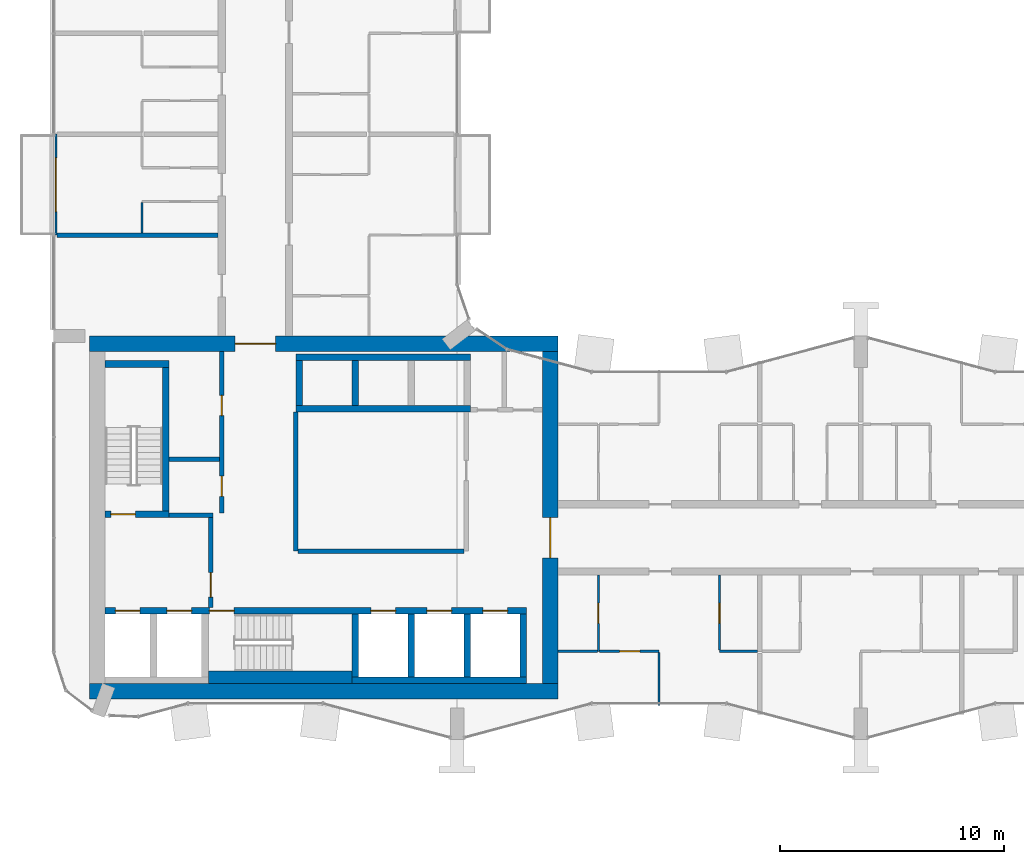
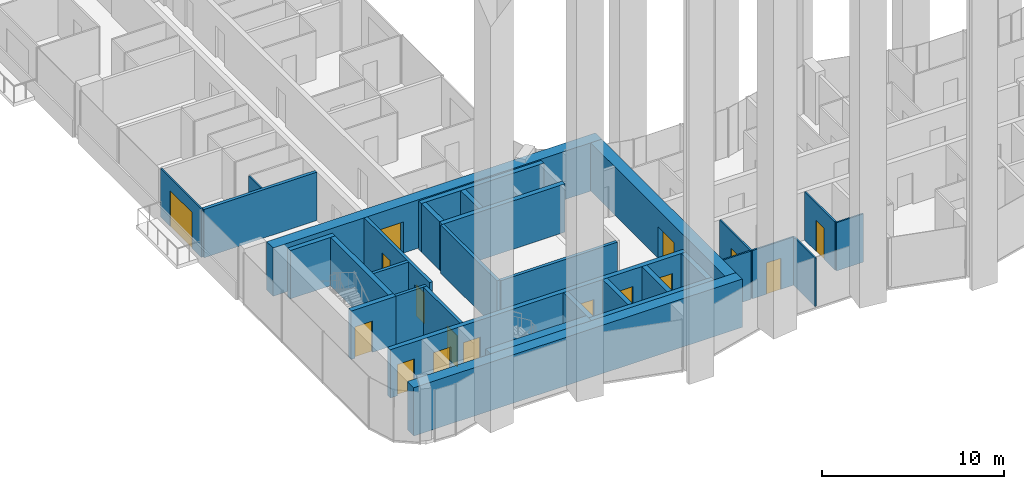
# One storey, part 13 of 27: 32 walls, 16 doors, 16 openings.
"""IFC4 building model written with IfcOpenShell, lengths in metres."""

import ifcopenshell
import ifcopenshell.guid

model = None  # the IFC model being written
_history = None  # IfcOwnerHistory: only IFC2X3 demands one
_inside = {}  # id of a spatial element -> (the spatial element, [elements in it])
_under = {}  # id of a project, library or spatial element -> (it, [spatial elements below it])
_declared = {}  # id of a project -> (the project, [libraries it declares])
_typed = {}  # id of a type object -> (the type object, [elements of that type])
_made_of = {}  # id of a material, layer set ... -> (it, [elements and type objects made of it])


def new_model(schema):
    """Start an empty IFC model of exactly this schema.

    Asked for "IFC4X3", IfcOpenShell would pick the latest addendum, in which some entities
    have other attributes; the version numbers below select the first issue.
    IFC2X3 requires an IfcOwnerHistory on every rooted entity: one is made here for all.
    """
    global model, _history
    if schema == "IFC4X3":
        model = ifcopenshell.file(schema_version=(4, 3, 0, 0))
    else:
        model = ifcopenshell.file(schema=schema)
    _inside.clear()
    _under.clear()
    _declared.clear()
    _typed.clear()
    _made_of.clear()
    _history = None
    if model.schema == "IFC2X3":
        org = make("IfcOrganization", Name="unknown")
        user = make(
            "IfcPersonAndOrganization",
            ThePerson=make("IfcPerson", FamilyName="unknown"),
            TheOrganization=org,
        )
        app = make(
            "IfcApplication",
            ApplicationDeveloper=org,
            Version="unknown",
            ApplicationFullName="unknown",
            ApplicationIdentifier="unknown",
        )
        _history = make(
            "IfcOwnerHistory",
            OwningUser=user,
            OwningApplication=app,
            ChangeAction="ADDED",
            CreationDate=0,
        )
    return model


def make(cls, **values):
    """One entity of the class cls with the attributes given. An attribute that is None is left unset."""
    return model.create_entity(
        cls, **{name: value for name, value in values.items() if value is not None}
    )


def rooted(cls, **values):
    """An entity with a GlobalId (a new one), such as an element, a storey or a relation."""
    return make(cls, GlobalId=ifcopenshell.guid.new(), OwnerHistory=_history, **values)


def si_unit(unit_type, name, prefix=None):
    """IfcSIUnit, for example si_unit("LENGTHUNIT", "METRE", prefix="MILLI")."""
    return make("IfcSIUnit", UnitType=unit_type, Prefix=prefix, Name=name)


def assignment(units):
    """IfcUnitAssignment: the units of a project."""
    return None if units is None else make("IfcUnitAssignment", Units=units)


def point(xyz):
    """IfcCartesianPoint."""
    return None if xyz is None else make("IfcCartesianPoint", Coordinates=xyz)


def direction(xyz):
    """IfcDirection."""
    return None if xyz is None else make("IfcDirection", DirectionRatios=xyz)


def frame(location, z_axis=None, x_axis=None):
    """IfcAxis2Placement3D, a coordinate frame: its origin and axes. An axis left out is left unset."""
    return make(
        "IfcAxis2Placement3D",
        Location=point(location),
        Axis=direction(z_axis),
        RefDirection=direction(x_axis),
    )


def frame_2d(location, x_axis=None):
    """IfcAxis2Placement2D, a coordinate frame in the plane: its origin and x axis."""
    return make(
        "IfcAxis2Placement2D", Location=point(location), RefDirection=direction(x_axis)
    )


def origin():
    """The frame at (0, 0, 0) with its axes left unset."""
    return frame((0.0, 0.0, 0.0))


def place(relative_to, where):
    """IfcLocalPlacement: puts the frame where relative to a parent placement (None: the world)."""
    return make(
        "IfcLocalPlacement", PlacementRelTo=relative_to, RelativePlacement=where
    )


def context(
    kind, dimensions, precision=None, world=None, true_north=None, identifier=None
):
    """IfcGeometricRepresentationContext, for example the 3D "Model" context."""
    return make(
        "IfcGeometricRepresentationContext",
        ContextIdentifier=identifier,
        ContextType=kind,
        CoordinateSpaceDimension=dimensions,
        Precision=precision,
        WorldCoordinateSystem=world,
        TrueNorth=true_north,
    )


def subcontext(parent, identifier, kind, view, scale=None):
    """IfcGeometricRepresentationSubContext, for example "Body" below "Model"."""
    return make(
        "IfcGeometricRepresentationSubContext",
        ContextIdentifier=identifier,
        ContextType=kind,
        ParentContext=parent,
        TargetScale=scale,
        TargetView=view,
    )


def project(units=None, contexts=None):
    """IfcProject with its units and contexts."""
    return rooted(
        "IfcProject",
        Name="project",
        RepresentationContexts=contexts,
        UnitsInContext=assignment(units),
    )


def spatial(cls, under=None, at=None, **own):
    """A site, building, storey or space (cls), placed at a placement, below another one or the project."""
    s = rooted(cls, ObjectPlacement=at, **own)
    if under is not None:
        _under.setdefault(under.id(), (under, []))[1].append(s)
    return s


def profile(cls, at=None, kind="AREA", **sizes):
    """A parametric profile (cls). Its sizes go by their IFC names, for example OverallWidth=200.0."""
    return make(cls, ProfileType=kind, Position=at, **sizes)


def rectangle(**sizes):
    """IfcRectangleProfileDef."""
    return profile("IfcRectangleProfileDef", **sizes)


def extrude(swept, where, along, depth):
    """IfcExtrudedAreaSolid: the profile swept, set in the frame where, extruded along a direction by depth."""
    return make(
        "IfcExtrudedAreaSolid",
        SweptArea=swept,
        Position=where,
        ExtrudedDirection=direction(along),
        Depth=depth,
    )


def shape(context_of_items, identifier, shape_type, items):
    """IfcShapeRepresentation: the items that make up one representation, for example the "Body"."""
    return make(
        "IfcShapeRepresentation",
        ContextOfItems=context_of_items,
        RepresentationIdentifier=identifier,
        RepresentationType=shape_type,
        Items=items,
    )


def material(Name=None, Category=None):
    """IfcMaterial."""
    return make("IfcMaterial", Name=Name, Category=Category)


def layer(
    of_material, thickness, ventilated=None, Name=None, Category=None, Priority=None
):
    """IfcMaterialLayer: one layer of a wall or slab, of a material (None: an air gap)."""
    return make(
        "IfcMaterialLayer",
        Material=of_material,
        LayerThickness=thickness,
        IsVentilated=ventilated,
        Name=Name,
        Category=Category,
        Priority=Priority,
    )


def layer_set(layers, Name=None):
    """IfcMaterialLayerSet."""
    return make("IfcMaterialLayerSet", MaterialLayers=layers, LayerSetName=Name)


def made_of(thing, what):
    """Note that an element or type object is made of a material, layer set ...; save() writes the relation."""
    if what is not None:
        _made_of.setdefault(what.id(), (what, []))[1].append(thing)
    return thing


def type_object(cls, material=None, **own):
    """A type object (cls), such as IfcWallType, which elements share."""
    return made_of(rooted(cls, **own), material)


def element(
    cls,
    number,
    at=None,
    inside=None,
    cuts=None,
    type_object=None,
    material=None,
    context=None,
    identifier="Body",
    shape_type=None,
    held_by="IfcProductDefinitionShape",
    body=None,
    shapes=None,
    **own,
):
    """One element of the class cls, such as IfcWall. Its Tag is "e" and its number.

    at: its placement. inside: the storey or other place that contains it. cuts: it is an
    opening in that element (IfcRelVoidsElement). A single representation is given by context,
    identifier, shape_type and body (its items); several are given by shapes. held_by: the class
    of the entity that holds the representations. save() writes the other relations.
    """
    e = rooted(cls, Tag="e%d" % number, ObjectPlacement=at, **own)
    if body is not None:
        shapes = [shape(context, identifier, shape_type, body)]
    if shapes is not None:
        e.Representation = make(held_by, Representations=shapes)
    if inside is not None:
        _inside.setdefault(inside.id(), (inside, []))[1].append(e)
    if cuts is not None:
        rooted(
            "IfcRelVoidsElement", RelatingBuildingElement=cuts, RelatedOpeningElement=e
        )
    if type_object is not None:
        _typed.setdefault(type_object.id(), (type_object, []))[1].append(e)
    return made_of(e, material)


def fill(opening, filler):
    """IfcRelFillsElement: the door or window that sits in an opening."""
    return rooted(
        "IfcRelFillsElement",
        RelatingOpeningElement=opening,
        RelatedBuildingElement=filler,
    )


def aggregate(whole, parts):
    """IfcRelAggregates: a whole, such as a stair, and the parts it consists of."""
    return rooted("IfcRelAggregates", RelatingObject=whole, RelatedObjects=parts)


def save(model, path):
    """Write the relations noted so far, then the file.

    IfcRelAggregates (storeys below a building ...), IfcRelContainedInSpatialStructure (elements
    in a storey), IfcRelDefinesByType, IfcRelAssociatesMaterial and IfcRelDeclares: one each for
    every whole, place, type object, material and project.
    """
    for whole, parts in _under.values():
        aggregate(whole, parts)
    for where, things in _inside.values():
        rooted(
            "IfcRelContainedInSpatialStructure",
            RelatedElements=things,
            RelatingStructure=where,
        )
    for kind, things in _typed.values():
        rooted("IfcRelDefinesByType", RelatedObjects=things, RelatingType=kind)
    for what, things in _made_of.values():
        rooted("IfcRelAssociatesMaterial", RelatedObjects=things, RelatingMaterial=what)
    for by, libraries in _declared.values():
        rooted("IfcRelDeclares", RelatingContext=by, RelatedDefinitions=libraries)
    model.write(path)


model = new_model("IFC4")

# Units and contexts
model_context = context("Model", 3, precision=1e-05, world=origin(), true_north=direction((0.0, 1.0)))
body_context = subcontext(model_context, "Body", "Model", "MODEL_VIEW")
ifc_project = project(units=[si_unit("LENGTHUNIT", "METRE"), si_unit("AREAUNIT", "SQUARE_METRE"), si_unit("VOLUMEUNIT", "CUBIC_METRE"), si_unit("PLANEANGLEUNIT", "RADIAN"), si_unit("MASSUNIT", "GRAM", prefix="KILO")], contexts=[model_context])

# Site, building, storey
site_placement = place(None, origin())
site = spatial("IfcSite", under=ifc_project, at=site_placement, CompositionType="ELEMENT")
building_placement = place(site_placement, origin())
building = spatial("IfcBuilding", under=site, at=building_placement, Name="Plateau Cross Towers", CompositionType="ELEMENT")
storey_placement = place(building_placement, frame((0.0, 0.0, 78.300048828125)))
storey = spatial("IfcBuildingStorey", under=building, at=storey_placement, Name="L19", CompositionType="ELEMENT", Elevation=78.300048828125)

# Wall, opening, door
ifc_material_1 = material(Name="Aluminium framed glazing", Category="aluminium")
ifc_layer_1 = layer(ifc_material_1, 0.10009765625)
ifc_layer_set_1 = layer_set([ifc_layer_1], Name="Aluminium framed glazing")
wall_type_1 = type_object("IfcWallType", Name="Balcony screen wall 100", PredefinedType="STANDARD", material=ifc_layer_set_1)
wall_1_placement = place(storey_placement, frame((0.10009765625, 22.5, 0.0), z_axis=(0.0, 0.0, 1.0), x_axis=(0.0, 1.0, 0.0)))
wall_1 = element("IfcWall", 1, at=wall_1_placement, inside=storey, type_object=wall_type_1, Name="Balcony screen wall A-BAL-L19-01", PredefinedType="STANDARD", context=body_context, shape_type="SweptSolid", body=[
    extrude(rectangle(XDim=4.5, YDim=0.10009765625, at=frame_2d((2.25, 0.0))), origin(), (0.0, 0.0, 1.0), 3.25),
])
opening_1_placement = place(wall_1_placement, frame((1.050048828125, 0.0, 0.0)))
opening_1 = element("IfcOpeningElement", 2, at=opening_1_placement, cuts=wall_1, Name="Opening D-B24", PredefinedType="OPENING", context=body_context, shape_type="SweptSolid", body=[
    extrude(rectangle(XDim=2.39990234375, YDim=2.39990234375, at=frame_2d((1.199951171875, 1.199951171875))), frame((0.0, 0.06005859375, 0.0), z_axis=(0.0, -1.0, 0.0), x_axis=(1.0, 0.0, 0.0)), (0.0, 0.0, 1.0), 0.1201171875),
])
ifc_material_2 = material(Name="Aluminium frame, double glazing", Category="aluminium")
door_type_1 = type_object("IfcDoorType", Name="Balcony sliding door 2400", OperationType="NOTDEFINED", PredefinedType="DOOR", material=ifc_material_2)
door_1_placement = place(opening_1_placement, origin())
door_1 = element("IfcDoor", 3, at=door_1_placement, inside=storey, type_object=door_type_1, Name="Balcony door A-BAL-L19-01", OperationType="SINGLE_SWING_LEFT", OverallHeight=2.39990234375, OverallWidth=2.39990234375, PredefinedType="DOOR", context=body_context, shape_type="SweptSolid", body=[
    extrude(rectangle(XDim=2.39990234375, YDim=2.39990234375, at=frame_2d((1.199951171875, 1.199951171875))), frame((0.0, 0.02490234375, 0.0), z_axis=(0.0, -1.0, 0.0), x_axis=(1.0, 0.0, 0.0)), (0.0, 0.0, 1.0), 0.050048828125),
])
fill(opening_1, door_1)

ifc_material_3 = material(Name="Concrete block, plastered both sides", Category="concrete")
ifc_layer_2 = layer(ifc_material_3, 0.199951171875)
ifc_layer_set_2 = layer_set([ifc_layer_2], Name="Concrete block, plastered both sides")
wall_type_2 = type_object("IfcWallType", Name="Core partition 200", PredefinedType="PARTITIONING", material=ifc_layer_set_2)
wall_2_placement = place(storey_placement, frame((7.0, 5.89990234375, 0.0), z_axis=(0.0, 0.0, 1.0), x_axis=(0.0, 1.0, 0.0)))
wall_2 = element("IfcWall", 4, at=wall_2_placement, inside=storey, type_object=wall_type_2, Name="Core partition", PredefinedType="PARTITIONING", context=body_context, shape_type="SweptSolid", body=[
    extrude(rectangle(XDim=4.0, YDim=0.199951171875, at=frame_2d((2.0, 0.0))), origin(), (0.0, 0.0, 1.0), 3.25),
])
opening_2_placement = place(wall_2_placement, frame((0.449951171875, 0.0, 0.0)))
opening_2 = element("IfcOpeningElement", 5, at=opening_2_placement, cuts=wall_2, Name="Opening FFD", PredefinedType="OPENING", context=body_context, shape_type="SweptSolid", body=[
    extrude(rectangle(XDim=1.10009765625, YDim=2.10009765625, at=frame_2d((0.550048828125, 1.050048828125))), frame((0.0, 0.10986328125, 0.0), z_axis=(0.0, -1.0, 0.0), x_axis=(1.0, 0.0, 0.0)), (0.0, 0.0, 1.0), 0.219970703125),
])
ifc_material_4 = material(Name="Steel, fire-resisting leaf", Category="steel")
door_type_2 = type_object("IfcDoorType", Name="Firefighting lobby door 1100", OperationType="NOTDEFINED", PredefinedType="DOOR", material=ifc_material_4)
door_2_placement = place(opening_2_placement, origin())
door_2 = element("IfcDoor", 6, at=door_2_placement, inside=storey, type_object=door_type_2, Name="Firefighting lobby door FFD", OperationType="SINGLE_SWING_LEFT", OverallHeight=2.10009765625, OverallWidth=1.10009765625, PredefinedType="DOOR", context=body_context, shape_type="SweptSolid", body=[
    extrude(rectangle(XDim=1.10009765625, YDim=2.10009765625, at=frame_2d((0.550048828125, 1.050048828125))), frame((0.0, 0.02490234375, 0.0), z_axis=(0.0, -1.0, 0.0), x_axis=(1.0, 0.0, 0.0)), (0.0, 0.0, 1.0), 0.050048828125),
])
fill(opening_2, door_2)

# Walls
wall_3_placement = place(storey_placement, frame((5.14990234375, 10.0, 0.0), z_axis=(0.0, 0.0, 1.0), x_axis=(1.0, 0.0, 0.0)))
element("IfcWall", 7, at=wall_3_placement, inside=storey, type_object=wall_type_2, Name="Core partition", PredefinedType="PARTITIONING", context=body_context, shape_type="SweptSolid", body=[
    extrude(rectangle(XDim=1.9501953125, YDim=0.199951171875, at=frame_2d((0.97509765625, 0.0))), origin(), (0.0, 0.0, 1.0), 3.25),
])
wall_4_placement = place(storey_placement, frame((10.800048828125, 8.39990234375, 0.0), z_axis=(0.0, 0.0, 1.0), x_axis=(0.0, 1.0, 0.0)))
element("IfcWall", 8, at=wall_4_placement, inside=storey, type_object=wall_type_2, Name="Core partition", PredefinedType="PARTITIONING", context=body_context, shape_type="SweptSolid", body=[
    extrude(rectangle(XDim=6.2001953125, YDim=0.199951171875, at=frame_2d((3.10009765625, 0.0))), origin(), (0.0, 0.0, 1.0), 3.25),
])
wall_5_placement = place(storey_placement, frame((10.89990234375, 8.39990234375, 0.0), z_axis=(0.0, 0.0, 1.0), x_axis=(1.0, 0.0, 0.0)))
element("IfcWall", 9, at=wall_5_placement, inside=storey, type_object=wall_type_2, Name="Core partition", PredefinedType="PARTITIONING", context=body_context, shape_type="SweptSolid", body=[
    extrude(rectangle(XDim=7.400146484375, YDim=0.199951171875, at=frame_2d((3.7001953125, 0.0))), origin(), (0.0, 0.0, 1.0), 3.25),
])

# Wall, openings, doors
wall_6_placement = place(storey_placement, frame((7.5, 10.10009765625, 0.0), z_axis=(0.0, 0.0, 1.0), x_axis=(0.0, 1.0, 0.0)))
wall_6 = element("IfcWall", 10, at=wall_6_placement, inside=storey, type_object=wall_type_2, Name="Core partition", PredefinedType="PARTITIONING", context=body_context, shape_type="SweptSolid", body=[
    extrude(rectangle(XDim=7.199951171875, YDim=0.199951171875, at=frame_2d((3.60009765625, 0.0))), origin(), (0.0, 0.0, 1.0), 3.25),
])
opening_3_placement = place(wall_6_placement, frame((0.75, 0.0, 0.0)))
opening_3 = element("IfcOpeningElement", 11, at=opening_3_placement, cuts=wall_6, Name="Opening RD1", PredefinedType="OPENING", context=body_context, shape_type="SweptSolid", body=[
    extrude(rectangle(XDim=0.89990234375, YDim=2.10009765625, at=frame_2d((0.449951171875, 1.050048828125))), frame((0.0, 0.10986328125, 0.0), z_axis=(0.0, -1.0, 0.0), x_axis=(1.0, 0.0, 0.0)), (0.0, 0.0, 1.0), 0.219970703125),
])
opening_4_placement = place(wall_6_placement, frame((4.35009765625, 0.0, 0.0)))
opening_4 = element("IfcOpeningElement", 12, at=opening_4_placement, cuts=wall_6, Name="Opening RD1", PredefinedType="OPENING", context=body_context, shape_type="SweptSolid", body=[
    extrude(rectangle(XDim=0.89990234375, YDim=2.10009765625, at=frame_2d((0.449951171875, 1.050048828125))), frame((0.0, 0.10986328125, 0.0), z_axis=(0.0, -1.0, 0.0), x_axis=(1.0, 0.0, 0.0)), (0.0, 0.0, 1.0), 0.219970703125),
])
ifc_material_5 = material(Name="Timber, fire-resisting leaf", Category="wood")
door_type_3 = type_object("IfcDoorType", Name="Core service door 900", OperationType="NOTDEFINED", PredefinedType="DOOR", material=ifc_material_5)
door_3_placement = place(opening_3_placement, origin())
door_3 = element("IfcDoor", 13, at=door_3_placement, inside=storey, type_object=door_type_3, Name="Core service door RD1", OperationType="SINGLE_SWING_RIGHT", OverallHeight=2.10009765625, OverallWidth=0.89990234375, PredefinedType="DOOR", context=body_context, shape_type="SweptSolid", body=[
    extrude(rectangle(XDim=0.89990234375, YDim=2.10009765625, at=frame_2d((0.449951171875, 1.050048828125))), frame((0.0, 0.02490234375, 0.0), z_axis=(0.0, -1.0, 0.0), x_axis=(1.0, 0.0, 0.0)), (0.0, 0.0, 1.0), 0.050048828125),
])
fill(opening_3, door_3)
door_4_placement = place(opening_4_placement, origin())
door_4 = element("IfcDoor", 14, at=door_4_placement, inside=storey, type_object=door_type_3, Name="Core service door RD1", OperationType="SINGLE_SWING_RIGHT", OverallHeight=2.10009765625, OverallWidth=0.89990234375, PredefinedType="DOOR", context=body_context, shape_type="SweptSolid", body=[
    extrude(rectangle(XDim=0.89990234375, YDim=2.10009765625, at=frame_2d((0.449951171875, 1.050048828125))), frame((0.0, 0.02490234375, 0.0), z_axis=(0.0, -1.0, 0.0), x_axis=(1.0, 0.0, 0.0)), (0.0, 0.0, 1.0), 0.050048828125),
])
fill(opening_4, door_4)

# Walls
wall_7_placement = place(storey_placement, frame((5.14990234375, 12.5, 0.0), z_axis=(0.0, 0.0, 1.0), x_axis=(1.0, 0.0, 0.0)))
element("IfcWall", 15, at=wall_7_placement, inside=storey, type_object=wall_type_2, Name="Core partition", PredefinedType="PARTITIONING", context=body_context, shape_type="SweptSolid", body=[
    extrude(rectangle(XDim=2.25, YDim=0.199951171875, at=frame_2d((1.125, 0.0))), origin(), (0.0, 0.0, 1.0), 3.25),
])
ifc_material_6 = material(Name="Concrete C60/75", Category="concrete")
ifc_layer_3 = layer(ifc_material_6, 0.300048828125)
ifc_layer_set_3 = layer_set([ifc_layer_3], Name="Concrete C60/75")
wall_type_3 = type_object("IfcWallType", Name="Core shaft wall 300", PredefinedType="SHEAR", material=ifc_layer_set_3)
wall_8_placement = place(storey_placement, frame((13.300048828125, 2.64990234375, 0.0), z_axis=(0.0, 0.0, 1.0), x_axis=(1.0, 0.0, 0.0)))
element("IfcWall", 16, at=wall_8_placement, inside=storey, type_object=wall_type_3, Name="A-sb-back3@L19", PredefinedType="SHEAR", context=body_context, shape_type="SweptSolid", body=[
    extrude(rectangle(XDim=7.800048828125, YDim=0.300048828125, at=frame_2d((3.89990234375, 0.0))), origin(), (0.0, 0.0, 1.0), 3.25),
])
for number, where, z_axis, x_axis, name in (
    (17, (13.449951171875, 2.800048828125, 0.0), (0.0, 0.0, 1.0), (0.0, 1.0, 0.0), "A-sb-v3@L19"),
    (18, (15.949951171875, 2.800048828125, 0.0), (0.0, 0.0, 1.0), (0.0, 1.0, 0.0), "A-sb-v4@L19"),
    (19, (18.449951171875, 2.800048828125, 0.0), (0.0, 0.0, 1.0), (0.0, 1.0, 0.0), "A-sb-v5@L19"),
    (20, (20.949951171875, 2.800048828125, 0.0), (0.0, 0.0, 1.0), (0.0, 1.0, 0.0), "A-sb-v6@L19"),
):
    element("IfcWall", number, at=place(storey_placement, frame(where, z_axis=z_axis, x_axis=x_axis)), inside=storey, type_object=wall_type_3, Name=name, PredefinedType="SHEAR", context=body_context, shape_type="SweptSolid", body=[
        extrude(rectangle(XDim=2.800048828125, YDim=0.300048828125, at=frame_2d((1.39990234375, 0.0))), origin(), (0.0, 0.0, 1.0), 3.25),
    ])

# Wall, openings, doors
wall_9_placement = place(storey_placement, frame((2.300048828125, 5.75, 0.0), z_axis=(0.0, 0.0, 1.0), x_axis=(1.0, 0.0, 0.0)))
wall_9 = element("IfcWall", 21, at=wall_9_placement, inside=storey, type_object=wall_type_3, Name="A-sb-front@L19", PredefinedType="SHEAR", context=body_context, shape_type="SweptSolid", body=[
    extrude(rectangle(XDim=18.800048828125, YDim=0.300048828125, at=frame_2d((9.39990234375, 0.0))), origin(), (0.0, 0.0, 1.0), 3.25),
])
opening_5_placement = place(wall_9_placement, frame((4.64990234375, 0.0, 0.0)))
opening_5 = element("IfcOpeningElement", 22, at=opening_5_placement, cuts=wall_9, Name="Opening SD", PredefinedType="OPENING", context=body_context, shape_type="SweptSolid", body=[
    extrude(rectangle(XDim=1.10009765625, YDim=2.10009765625, at=frame_2d((0.550048828125, 1.050048828125))), frame((0.0, 0.159912109375, 0.0), z_axis=(0.0, -1.0, 0.0), x_axis=(1.0, 0.0, 0.0)), (0.0, 0.0, 1.0), 0.320068359375),
])
opening_6_placement = place(wall_9_placement, frame((0.449951171875, 0.0, 0.0)))
opening_6 = element("IfcOpeningElement", 23, at=opening_6_placement, cuts=wall_9, Name="Opening LD", PredefinedType="OPENING", context=body_context, shape_type="SweptSolid", body=[
    extrude(rectangle(XDim=1.10009765625, YDim=2.10009765625, at=frame_2d((0.550048828125, 1.050048828125))), frame((0.0, 0.159912109375, 0.0), z_axis=(0.0, -1.0, 0.0), x_axis=(1.0, 0.0, 0.0)), (0.0, 0.0, 1.0), 0.320068359375),
])
opening_7_placement = place(wall_9_placement, frame((2.75, 0.0, 0.0)))
opening_7 = element("IfcOpeningElement", 24, at=opening_7_placement, cuts=wall_9, Name="Opening LD", PredefinedType="OPENING", context=body_context, shape_type="SweptSolid", body=[
    extrude(rectangle(XDim=1.10009765625, YDim=2.10009765625, at=frame_2d((0.550048828125, 1.050048828125))), frame((0.0, 0.159912109375, 0.0), z_axis=(0.0, -1.0, 0.0), x_axis=(1.0, 0.0, 0.0)), (0.0, 0.0, 1.0), 0.320068359375),
])
opening_8_placement = place(wall_9_placement, frame((11.85009765625, 0.0, 0.0)))
opening_8 = element("IfcOpeningElement", 25, at=opening_8_placement, cuts=wall_9, Name="Opening LD", PredefinedType="OPENING", context=body_context, shape_type="SweptSolid", body=[
    extrude(rectangle(XDim=1.10009765625, YDim=2.10009765625, at=frame_2d((0.550048828125, 1.050048828125))), frame((0.0, 0.159912109375, 0.0), z_axis=(0.0, -1.0, 0.0), x_axis=(1.0, 0.0, 0.0)), (0.0, 0.0, 1.0), 0.320068359375),
])
opening_9_placement = place(wall_9_placement, frame((14.35009765625, 0.0, 0.0)))
opening_9 = element("IfcOpeningElement", 26, at=opening_9_placement, cuts=wall_9, Name="Opening LD", PredefinedType="OPENING", context=body_context, shape_type="SweptSolid", body=[
    extrude(rectangle(XDim=1.10009765625, YDim=2.10009765625, at=frame_2d((0.550048828125, 1.050048828125))), frame((0.0, 0.159912109375, 0.0), z_axis=(0.0, -1.0, 0.0), x_axis=(1.0, 0.0, 0.0)), (0.0, 0.0, 1.0), 0.320068359375),
])
opening_10_placement = place(wall_9_placement, frame((16.85009765625, 0.0, 0.0)))
opening_10 = element("IfcOpeningElement", 27, at=opening_10_placement, cuts=wall_9, Name="Opening LD", PredefinedType="OPENING", context=body_context, shape_type="SweptSolid", body=[
    extrude(rectangle(XDim=1.10009765625, YDim=2.10009765625, at=frame_2d((0.550048828125, 1.050048828125))), frame((0.0, 0.159912109375, 0.0), z_axis=(0.0, -1.0, 0.0), x_axis=(1.0, 0.0, 0.0)), (0.0, 0.0, 1.0), 0.320068359375),
])
ifc_material_7 = material(Name="Stainless steel, fire-resisting sliding leaves", Category="steel")
door_type_4 = type_object("IfcDoorType", Name="Lift landing door 1100", OperationType="NOTDEFINED", PredefinedType="DOOR", material=ifc_material_7)
door_5_placement = place(opening_6_placement, origin())
door_5 = element("IfcDoor", 28, at=door_5_placement, inside=storey, type_object=door_type_4, Name="Lift landing door LD", OperationType="DOUBLE_DOOR_SLIDING", OverallHeight=2.10009765625, OverallWidth=1.10009765625, PredefinedType="DOOR", context=body_context, shape_type="SweptSolid", body=[
    extrude(rectangle(XDim=1.10009765625, YDim=2.10009765625, at=frame_2d((0.550048828125, 1.050048828125))), frame((0.0, 0.02490234375, 0.0), z_axis=(0.0, -1.0, 0.0), x_axis=(1.0, 0.0, 0.0)), (0.0, 0.0, 1.0), 0.050048828125),
])
fill(opening_6, door_5)
door_6_placement = place(opening_7_placement, origin())
door_6 = element("IfcDoor", 29, at=door_6_placement, inside=storey, type_object=door_type_4, Name="Lift landing door LD", OperationType="DOUBLE_DOOR_SLIDING", OverallHeight=2.10009765625, OverallWidth=1.10009765625, PredefinedType="DOOR", context=body_context, shape_type="SweptSolid", body=[
    extrude(rectangle(XDim=1.10009765625, YDim=2.10009765625, at=frame_2d((0.550048828125, 1.050048828125))), frame((0.0, 0.02490234375, 0.0), z_axis=(0.0, -1.0, 0.0), x_axis=(1.0, 0.0, 0.0)), (0.0, 0.0, 1.0), 0.050048828125),
])
fill(opening_7, door_6)
door_7_placement = place(opening_8_placement, origin())
door_7 = element("IfcDoor", 30, at=door_7_placement, inside=storey, type_object=door_type_4, Name="Lift landing door LD", OperationType="DOUBLE_DOOR_SLIDING", OverallHeight=2.10009765625, OverallWidth=1.10009765625, PredefinedType="DOOR", context=body_context, shape_type="SweptSolid", body=[
    extrude(rectangle(XDim=1.10009765625, YDim=2.10009765625, at=frame_2d((0.550048828125, 1.050048828125))), frame((0.0, 0.02490234375, 0.0), z_axis=(0.0, -1.0, 0.0), x_axis=(1.0, 0.0, 0.0)), (0.0, 0.0, 1.0), 0.050048828125),
])
fill(opening_8, door_7)
door_8_placement = place(opening_9_placement, origin())
door_8 = element("IfcDoor", 31, at=door_8_placement, inside=storey, type_object=door_type_4, Name="Lift landing door LD", OperationType="DOUBLE_DOOR_SLIDING", OverallHeight=2.10009765625, OverallWidth=1.10009765625, PredefinedType="DOOR", context=body_context, shape_type="SweptSolid", body=[
    extrude(rectangle(XDim=1.10009765625, YDim=2.10009765625, at=frame_2d((0.550048828125, 1.050048828125))), frame((0.0, 0.02490234375, 0.0), z_axis=(0.0, -1.0, 0.0), x_axis=(1.0, 0.0, 0.0)), (0.0, 0.0, 1.0), 0.050048828125),
])
fill(opening_9, door_8)
door_9_placement = place(opening_10_placement, origin())
door_9 = element("IfcDoor", 32, at=door_9_placement, inside=storey, type_object=door_type_4, Name="Lift landing door LD", OperationType="DOUBLE_DOOR_SLIDING", OverallHeight=2.10009765625, OverallWidth=1.10009765625, PredefinedType="DOOR", context=body_context, shape_type="SweptSolid", body=[
    extrude(rectangle(XDim=1.10009765625, YDim=2.10009765625, at=frame_2d((0.550048828125, 1.050048828125))), frame((0.0, 0.02490234375, 0.0), z_axis=(0.0, -1.0, 0.0), x_axis=(1.0, 0.0, 0.0)), (0.0, 0.0, 1.0), 0.050048828125),
])
fill(opening_10, door_9)
door_type_5 = type_object("IfcDoorType", Name="Stair door 1100", OperationType="NOTDEFINED", PredefinedType="DOOR", material=ifc_material_4)
door_10_placement = place(opening_5_placement, origin())
door_10 = element("IfcDoor", 33, at=door_10_placement, inside=storey, type_object=door_type_5, Name="Stair door SD", OperationType="SINGLE_SWING_LEFT", OverallHeight=2.10009765625, OverallWidth=1.10009765625, PredefinedType="DOOR", context=body_context, shape_type="SweptSolid", body=[
    extrude(rectangle(XDim=1.10009765625, YDim=2.10009765625, at=frame_2d((0.550048828125, 1.050048828125))), frame((0.0, 0.02490234375, 0.0), z_axis=(0.0, -1.0, 0.0), x_axis=(1.0, 0.0, 0.0)), (0.0, 0.0, 1.0), 0.050048828125),
])
fill(opening_5, door_10)

# Wall, opening, door
wall_10_placement = place(storey_placement, frame((2.300048828125, 10.050048828125, 0.0), z_axis=(0.0, 0.0, 1.0), x_axis=(1.0, 0.0, 0.0)))
wall_10 = element("IfcWall", 34, at=wall_10_placement, inside=storey, type_object=wall_type_3, Name="A-st1-S@L19", PredefinedType="SHEAR", context=body_context, shape_type="SweptSolid", body=[
    extrude(rectangle(XDim=2.849853515625, YDim=0.300048828125, at=frame_2d((1.4248046875, 0.0))), origin(), (0.0, 0.0, 1.0), 3.25),
])
opening_11_placement = place(wall_10_placement, frame((0.25, 0.0, 0.0)))
opening_11 = element("IfcOpeningElement", 35, at=opening_11_placement, cuts=wall_10, Name="Opening SD", PredefinedType="OPENING", context=body_context, shape_type="SweptSolid", body=[
    extrude(rectangle(XDim=1.10009765625, YDim=2.10009765625, at=frame_2d((0.550048828125, 1.050048828125))), frame((0.0, 0.159912109375, 0.0), z_axis=(0.0, -1.0, 0.0), x_axis=(1.0, 0.0, 0.0)), (0.0, 0.0, 1.0), 0.320068359375),
])
door_11_placement = place(opening_11_placement, origin())
door_11 = element("IfcDoor", 36, at=door_11_placement, inside=storey, type_object=door_type_5, Name="Stair door SD", OperationType="SINGLE_SWING_RIGHT", OverallHeight=2.10009765625, OverallWidth=1.10009765625, PredefinedType="DOOR", context=body_context, shape_type="SweptSolid", body=[
    extrude(rectangle(XDim=1.10009765625, YDim=2.10009765625, at=frame_2d((0.550048828125, 1.050048828125))), frame((0.0, 0.02490234375, 0.0), z_axis=(0.0, -1.0, 0.0), x_axis=(1.0, 0.0, 0.0)), (0.0, 0.0, 1.0), 0.050048828125),
])
fill(opening_11, door_11)

# Walls
wall_11_placement = place(storey_placement, frame((5.0, 10.199951171875, 0.0), z_axis=(0.0, 0.0, 1.0), x_axis=(0.0, 1.0, 0.0)))
element("IfcWall", 37, at=wall_11_placement, inside=storey, type_object=wall_type_3, Name="A-st1-E@L19", PredefinedType="SHEAR", context=body_context, shape_type="SweptSolid", body=[
    extrude(rectangle(XDim=6.400146484375, YDim=0.300048828125, at=frame_2d((3.2001953125, 0.0))), origin(), (0.0, 0.0, 1.0), 3.25),
])
wall_12_placement = place(storey_placement, frame((2.300048828125, 16.75, 0.0), z_axis=(0.0, 0.0, 1.0), x_axis=(1.0, 0.0, 0.0)))
element("IfcWall", 38, at=wall_12_placement, inside=storey, type_object=wall_type_3, Name="A-st1-N@L19", PredefinedType="SHEAR", context=body_context, shape_type="SweptSolid", body=[
    extrude(rectangle(XDim=2.849853515625, YDim=0.300048828125, at=frame_2d((1.4248046875, 0.0))), origin(), (0.0, 0.0, 1.0), 3.25),
])
for number, where, z_axis, x_axis, name in (
    (39, (10.800048828125, 17.050048828125, 0.0), (0.0, 0.0, 1.0), (1.0, 0.0, 0.0), "A-nb-back@L19"),
    (40, (10.800048828125, 14.75, 0.0), (0.0, 0.0, 1.0), (1.0, 0.0, 0.0), "A-nb-front@L19"),
):
    element("IfcWall", number, at=place(storey_placement, frame(where, z_axis=z_axis, x_axis=x_axis)), inside=storey, type_object=wall_type_3, Name=name, PredefinedType="SHEAR", context=body_context, shape_type="SweptSolid", body=[
        extrude(rectangle(XDim=7.800048828125, YDim=0.300048828125, at=frame_2d((3.89990234375, 0.0))), origin(), (0.0, 0.0, 1.0), 3.25),
    ])
for number, where, z_axis, x_axis, name in (
    (41, (10.949951171875, 14.89990234375, 0.0), (0.0, 0.0, 1.0), (0.0, 1.0, 0.0), "A-nb-v1@L19"),
    (42, (13.449951171875, 14.89990234375, 0.0), (0.0, 0.0, 1.0), (0.0, 1.0, 0.0), "A-nb-v2@L19"),
):
    element("IfcWall", number, at=place(storey_placement, frame(where, z_axis=z_axis, x_axis=x_axis)), inside=storey, type_object=wall_type_3, Name=name, PredefinedType="SHEAR", context=body_context, shape_type="SweptSolid", body=[
        extrude(rectangle(XDim=2.0, YDim=0.300048828125, at=frame_2d((1.0, 0.0))), origin(), (0.0, 0.0, 1.0), 3.25),
    ])
ifc_layer_4 = layer(ifc_material_6, 0.550048828125)
ifc_layer_set_4 = layer_set([ifc_layer_4], Name="Concrete C60/75")
wall_type_4 = type_object("IfcWallType", Name="Core shaft wall 550", PredefinedType="SHEAR", material=ifc_layer_set_4)
wall_13_placement = place(storey_placement, frame((6.89990234375, 2.77490234375, 0.0), z_axis=(0.0, 0.0, 1.0), x_axis=(1.0, 0.0, 0.0)))
element("IfcWall", 43, at=wall_13_placement, inside=storey, type_object=wall_type_4, Name="A-sb-back2@L19", PredefinedType="SHEAR", context=body_context, shape_type="SweptSolid", body=[
    extrude(rectangle(XDim=6.400146484375, YDim=0.550048828125, at=frame_2d((3.2001953125, 0.0))), origin(), (0.0, 0.0, 1.0), 3.25),
])
ifc_layer_5 = layer(ifc_material_6, 0.699951171875)
ifc_layer_set_5 = layer_set([ifc_layer_5], Name="Concrete C60/75")
wall_type_5 = type_object("IfcWallType", Name="Core shell wall 700", PredefinedType="SHEAR", material=ifc_layer_set_5)
wall_14_placement = place(storey_placement, frame((1.60009765625, 2.14990234375, 0.0), z_axis=(0.0, 0.0, 1.0), x_axis=(1.0, 0.0, 0.0)))
element("IfcWall", 44, at=wall_14_placement, inside=storey, type_object=wall_type_5, Name="A-core-S@L19", PredefinedType="SHEAR", context=body_context, shape_type="SweptSolid", body=[
    extrude(rectangle(XDim=20.89990234375, YDim=0.699951171875, at=frame_2d((10.449951171875, 0.0))), origin(), (0.0, 0.0, 1.0), 3.25),
])

# Wall, opening, door
wall_15_placement = place(storey_placement, frame((1.60009765625, 17.64990234375, 0.0), z_axis=(0.0, 0.0, 1.0), x_axis=(1.0, 0.0, 0.0)))
wall_15 = element("IfcWall", 45, at=wall_15_placement, inside=storey, type_object=wall_type_5, Name="A-core-N@L19", PredefinedType="SHEAR", context=body_context, shape_type="SweptSolid", body=[
    extrude(rectangle(XDim=20.89990234375, YDim=0.699951171875, at=frame_2d((10.449951171875, 0.0))), origin(), (0.0, 0.0, 1.0), 3.25),
])
opening_12_placement = place(wall_15_placement, frame((6.5, 0.0, 0.0)))
opening_12 = element("IfcOpeningElement", 46, at=opening_12_placement, cuts=wall_15, Name="Opening CD", PredefinedType="OPENING", context=body_context, shape_type="SweptSolid", body=[
    extrude(rectangle(XDim=1.800048828125, YDim=2.10009765625, at=frame_2d((0.89990234375, 1.050048828125))), frame((0.0, 0.35986328125, 0.0), z_axis=(0.0, -1.0, 0.0), x_axis=(1.0, 0.0, 0.0)), (0.0, 0.0, 1.0), 0.719970703125),
])
ifc_material_8 = material(Name="Steel, fire-resisting leaves", Category="steel")
door_type_6 = type_object("IfcDoorType", Name="Corridor door pair 1800", OperationType="NOTDEFINED", PredefinedType="DOOR", material=ifc_material_8)
door_12_placement = place(opening_12_placement, origin())
door_12 = element("IfcDoor", 47, at=door_12_placement, inside=storey, type_object=door_type_6, Name="Corridor door pair CD", OperationType="DOUBLE_DOOR_SINGLE_SWING", OverallHeight=2.10009765625, OverallWidth=1.800048828125, PredefinedType="DOOR", context=body_context, shape_type="SweptSolid", body=[
    extrude(rectangle(XDim=1.800048828125, YDim=2.10009765625, at=frame_2d((0.89990234375, 1.050048828125))), frame((0.0, 0.02490234375, 0.0), z_axis=(0.0, -1.0, 0.0), x_axis=(1.0, 0.0, 0.0)), (0.0, 0.0, 1.0), 0.050048828125),
])
fill(opening_12, door_12)

wall_16_placement = place(storey_placement, frame((22.14990234375, 2.5, 0.0), z_axis=(0.0, 0.0, 1.0), x_axis=(0.0, 1.0, 0.0)))
wall_16 = element("IfcWall", 48, at=wall_16_placement, inside=storey, type_object=wall_type_5, Name="A-core-E@L19", PredefinedType="SHEAR", context=body_context, shape_type="SweptSolid", body=[
    extrude(rectangle(XDim=14.800048828125, YDim=0.699951171875, at=frame_2d((7.39990234375, 0.0))), origin(), (0.0, 0.0, 1.0), 3.25),
])
opening_13_placement = place(wall_16_placement, frame((5.60009765625, 0.0, 0.0)))
opening_13 = element("IfcOpeningElement", 49, at=opening_13_placement, cuts=wall_16, Name="Opening CD", PredefinedType="OPENING", context=body_context, shape_type="SweptSolid", body=[
    extrude(rectangle(XDim=1.800048828125, YDim=2.10009765625, at=frame_2d((0.89990234375, 1.050048828125))), frame((0.0, 0.35986328125, 0.0), z_axis=(0.0, -1.0, 0.0), x_axis=(1.0, 0.0, 0.0)), (0.0, 0.0, 1.0), 0.719970703125),
])
door_13_placement = place(opening_13_placement, origin())
door_13 = element("IfcDoor", 50, at=door_13_placement, inside=storey, type_object=door_type_6, Name="Corridor door pair CD", OperationType="DOUBLE_DOOR_SINGLE_SWING", OverallHeight=2.10009765625, OverallWidth=1.800048828125, PredefinedType="DOOR", context=body_context, shape_type="SweptSolid", body=[
    extrude(rectangle(XDim=1.800048828125, YDim=2.10009765625, at=frame_2d((0.89990234375, 1.050048828125))), frame((0.0, 0.02490234375, 0.0), z_axis=(0.0, -1.0, 0.0), x_axis=(1.0, 0.0, 0.0)), (0.0, 0.0, 1.0), 0.050048828125),
])
fill(opening_13, door_13)

ifc_material_9 = material(Name="Gypsum board on steel studs", Category="steel")
ifc_layer_6 = layer(ifc_material_9, 0.10009765625)
ifc_layer_set_6 = layer_set([ifc_layer_6], Name="Gypsum board on steel studs")
wall_type_6 = type_object("IfcWallType", Name="Flat partition 100", PredefinedType="PARTITIONING", material=ifc_layer_set_6)
wall_17_placement = place(storey_placement, frame((27.0, 3.9375, 0.0), z_axis=(0.0, 0.0, 1.0), x_axis=(-1.0, 0.0, 0.0)))
wall_17 = element("IfcWall", 51, at=wall_17_placement, inside=storey, type_object=wall_type_6, Name="Partition wall", PredefinedType="PARTITIONING", context=body_context, shape_type="SweptSolid", body=[
    extrude(rectangle(XDim=2.64990234375, YDim=0.10009765625, at=frame_2d((1.324951171875, 0.0))), origin(), (0.0, 0.0, 1.0), 3.25),
])
opening_14_placement = place(wall_17_placement, frame((0.85009765625, 0.0, 0.0)))
opening_14 = element("IfcOpeningElement", 52, at=opening_14_placement, cuts=wall_17, Name="Opening 19-20", PredefinedType="OPENING", context=body_context, shape_type="SweptSolid", body=[
    extrude(rectangle(XDim=0.89990234375, YDim=2.10009765625, at=frame_2d((0.449951171875, 1.050048828125))), frame((0.0, 0.06005859375, 0.0), z_axis=(0.0, -1.0, 0.0), x_axis=(1.0, 0.0, 0.0)), (0.0, 0.0, 1.0), 0.1201171875),
])
ifc_material_10 = material(Name="Timber leaf", Category="wood")
door_type_7 = type_object("IfcDoorType", Name="Flat room door 900", OperationType="NOTDEFINED", PredefinedType="DOOR", material=ifc_material_10)
door_14_placement = place(opening_14_placement, origin())
door_14 = element("IfcDoor", 53, at=door_14_placement, inside=storey, type_object=door_type_7, Name="Door 19-20", OperationType="SINGLE_SWING_LEFT", OverallHeight=2.10009765625, OverallWidth=0.89990234375, PredefinedType="DOOR", context=body_context, shape_type="SweptSolid", body=[
    extrude(rectangle(XDim=0.89990234375, YDim=2.10009765625, at=frame_2d((0.449951171875, 1.050048828125))), frame((0.0, 0.02490234375, 0.0), z_axis=(0.0, -1.0, 0.0), x_axis=(1.0, 0.0, 0.0)), (0.0, 0.0, 1.0), 0.050048828125),
])
fill(opening_14, door_14)

# Walls
wall_18_placement = place(storey_placement, frame((22.5, 3.9375, 0.0), z_axis=(0.0, 0.0, 1.0), x_axis=(1.0, 0.0, 0.0)))
element("IfcWall", 54, at=wall_18_placement, inside=storey, type_object=wall_type_6, Name="Partition wall", PredefinedType="PARTITIONING", context=body_context, shape_type="SweptSolid", body=[
    extrude(rectangle(XDim=1.75, YDim=0.10009765625, at=frame_2d((0.875, 0.0))), origin(), (0.0, 0.0, 1.0), 3.25),
])
wall_19_placement = place(storey_placement, frame((29.699951171875, 3.9375, 0.0), z_axis=(0.0, 0.0, 1.0), x_axis=(1.0, 0.0, 0.0)))
element("IfcWall", 55, at=wall_19_placement, inside=storey, type_object=wall_type_6, Name="Partition wall", PredefinedType="PARTITIONING", context=body_context, shape_type="SweptSolid", body=[
    extrude(rectangle(XDim=1.699951171875, YDim=0.10009765625, at=frame_2d((0.85009765625, 0.0))), origin(), (0.0, 0.0, 1.0), 3.25),
])
wall_20_placement = place(storey_placement, frame((3.9375, 23.949951171875, 0.0), z_axis=(0.0, 0.0, 1.0), x_axis=(0.0, -1.0, 0.0)))
element("IfcWall", 56, at=wall_20_placement, inside=storey, type_object=wall_type_6, Name="Partition wall", PredefinedType="PARTITIONING", context=body_context, shape_type="SweptSolid", body=[
    extrude(rectangle(XDim=1.349853515625, YDim=0.10009765625, at=frame_2d((0.6748046875, 0.0))), origin(), (0.0, 0.0, 1.0), 3.25),
])

# Wall, opening, door
wall_21_placement = place(storey_placement, frame((24.300048828125, 3.9375, 0.0), z_axis=(0.0, 0.0, 1.0), x_axis=(0.0, 1.0, 0.0)))
wall_21 = element("IfcWall", 57, at=wall_21_placement, inside=storey, type_object=wall_type_6, Name="Partition wall", PredefinedType="PARTITIONING", context=body_context, shape_type="SweptSolid", body=[
    extrude(rectangle(XDim=3.39990234375, YDim=0.10009765625, at=frame_2d((1.699951171875, 0.0))), origin(), (0.0, 0.0, 1.0), 3.25),
])
opening_15_placement = place(wall_21_placement, frame((1.25, 0.0, 0.0)))
opening_15 = element("IfcOpeningElement", 58, at=opening_15_placement, cuts=wall_21, Name="Opening 19-18", PredefinedType="OPENING", context=body_context, shape_type="SweptSolid", body=[
    extrude(rectangle(XDim=0.89990234375, YDim=2.10009765625, at=frame_2d((0.449951171875, 1.050048828125))), frame((0.0, 0.06005859375, 0.0), z_axis=(0.0, -1.0, 0.0), x_axis=(1.0, 0.0, 0.0)), (0.0, 0.0, 1.0), 0.1201171875),
])
door_15_placement = place(opening_15_placement, origin())
door_15 = element("IfcDoor", 59, at=door_15_placement, inside=storey, type_object=door_type_7, Name="Door 19-18", OperationType="SINGLE_SWING_LEFT", OverallHeight=2.10009765625, OverallWidth=0.89990234375, PredefinedType="DOOR", context=body_context, shape_type="SweptSolid", body=[
    extrude(rectangle(XDim=0.89990234375, YDim=2.10009765625, at=frame_2d((0.449951171875, 1.050048828125))), frame((0.0, 0.02490234375, 0.0), z_axis=(0.0, -1.0, 0.0), x_axis=(1.0, 0.0, 0.0)), (0.0, 0.0, 1.0), 0.050048828125),
])
fill(opening_15, door_15)

# Wall
wall_22_placement = place(storey_placement, frame((27.0, 1.52685546875, 0.0), z_axis=(0.0, 0.0, 1.0), x_axis=(0.0, 1.0, 0.0)))
element("IfcWall", 60, at=wall_22_placement, inside=storey, type_object=wall_type_6, Name="Partition wall", PredefinedType="PARTITIONING", context=body_context, shape_type="SweptSolid", body=[
    extrude(rectangle(XDim=2.360595703125, YDim=0.10009765625, at=frame_2d((1.18017578125, 0.0))), origin(), (0.0, 0.0, 1.0), 3.25),
])

# Wall, opening, door
wall_23_placement = place(storey_placement, frame((29.699951171875, 7.33740234375, 0.0), z_axis=(0.0, 0.0, 1.0), x_axis=(0.0, -1.0, 0.0)))
wall_23 = element("IfcWall", 61, at=wall_23_placement, inside=storey, type_object=wall_type_6, Name="Partition wall", PredefinedType="PARTITIONING", context=body_context, shape_type="SweptSolid", body=[
    extrude(rectangle(XDim=3.349853515625, YDim=0.10009765625, at=frame_2d((1.6748046875, 0.0))), origin(), (0.0, 0.0, 1.0), 3.25),
])
opening_16_placement = place(wall_23_placement, frame((1.25, 0.0, 0.0)))
opening_16 = element("IfcOpeningElement", 62, at=opening_16_placement, cuts=wall_23, Name="Opening 19-19", PredefinedType="OPENING", context=body_context, shape_type="SweptSolid", body=[
    extrude(rectangle(XDim=0.89990234375, YDim=2.10009765625, at=frame_2d((0.449951171875, 1.050048828125))), frame((0.0, 0.06005859375, 0.0), z_axis=(0.0, -1.0, 0.0), x_axis=(1.0, 0.0, 0.0)), (0.0, 0.0, 1.0), 0.1201171875),
])
door_16_placement = place(opening_16_placement, origin())
door_16 = element("IfcDoor", 63, at=door_16_placement, inside=storey, type_object=door_type_7, Name="Door 19-19", OperationType="SINGLE_SWING_RIGHT", OverallHeight=2.10009765625, OverallWidth=0.89990234375, PredefinedType="DOOR", context=body_context, shape_type="SweptSolid", body=[
    extrude(rectangle(XDim=0.89990234375, YDim=2.10009765625, at=frame_2d((0.449951171875, 1.050048828125))), frame((0.0, 0.02490234375, 0.0), z_axis=(0.0, -1.0, 0.0), x_axis=(1.0, 0.0, 0.0)), (0.0, 0.0, 1.0), 0.050048828125),
])
fill(opening_16, door_16)

# Wall
ifc_material_11 = material(Name="Gypsum board on steel studs, two layers each side", Category="steel")
ifc_layer_7 = layer(ifc_material_11, 0.199951171875)
ifc_layer_set_7 = layer_set([ifc_layer_7], Name="Gypsum board on steel studs, two layers each side")
wall_type_7 = type_object("IfcWallType", Name="Flat party wall 200", PredefinedType="PARTITIONING", material=ifc_layer_set_7)
wall_24_placement = place(storey_placement, frame((7.33740234375, 22.5, 0.0), z_axis=(0.0, 0.0, 1.0), x_axis=(-1.0, 0.0, 0.0)))
element("IfcWall", 64, at=wall_24_placement, inside=storey, type_object=wall_type_7, Name="Party wall", PredefinedType="PARTITIONING", context=body_context, shape_type="SweptSolid", body=[
    extrude(rectangle(XDim=7.1875, YDim=0.199951171875, at=frame_2d((3.59375, 0.0))), origin(), (0.0, 0.0, 1.0), 3.25),
])

save(model, "model.ifc")
